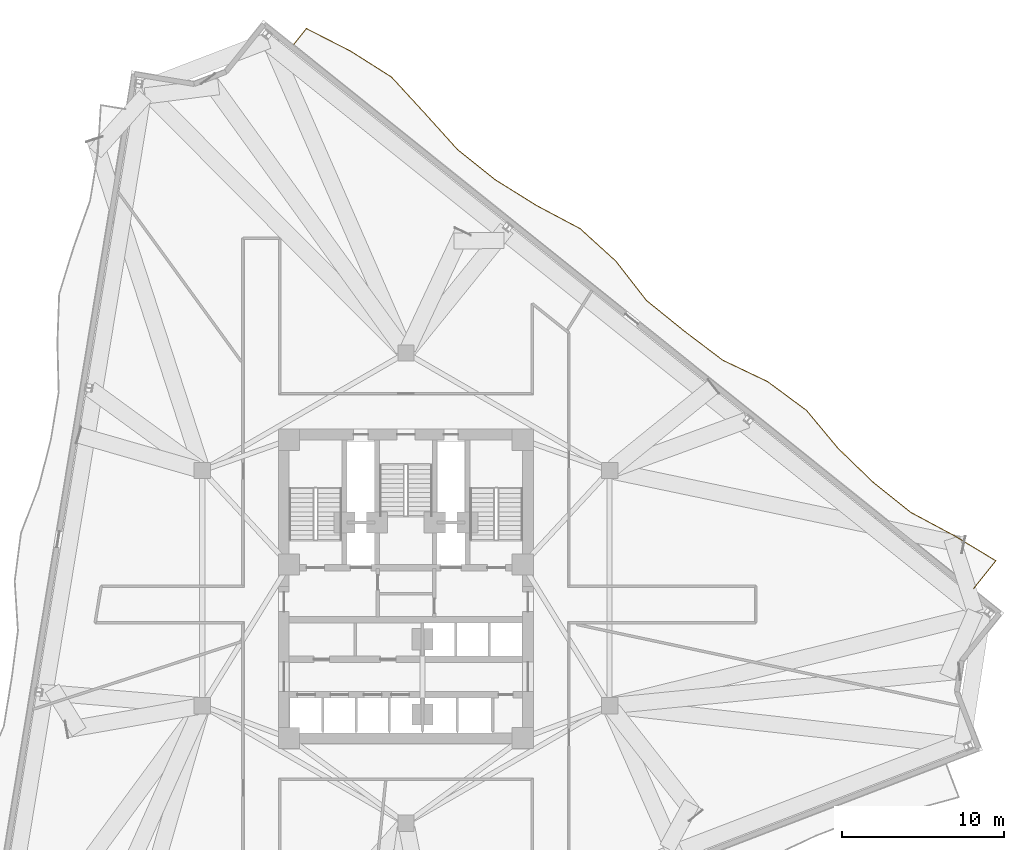
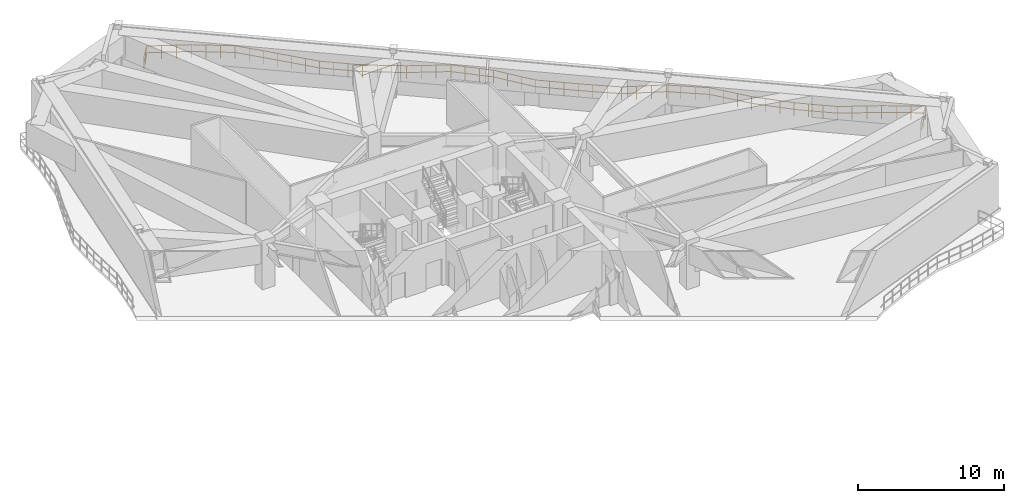
# One storey, part 14 of 14: 1 railing.
"""IFC4 building model written with IfcOpenShell, lengths in metres."""

import ifcopenshell
import ifcopenshell.guid

model = None  # the IFC model being written
_history = None  # IfcOwnerHistory: only IFC2X3 demands one
_inside = {}  # id of a spatial element -> (the spatial element, [elements in it])
_under = {}  # id of a project, library or spatial element -> (it, [spatial elements below it])
_declared = {}  # id of a project -> (the project, [libraries it declares])
_typed = {}  # id of a type object -> (the type object, [elements of that type])
_made_of = {}  # id of a material, layer set ... -> (it, [elements and type objects made of it])


def new_model(schema):
    """Start an empty IFC model of exactly this schema.

    Asked for "IFC4X3", IfcOpenShell would pick the latest addendum, in which some entities
    have other attributes; the version numbers below select the first issue.
    IFC2X3 requires an IfcOwnerHistory on every rooted entity: one is made here for all.
    """
    global model, _history
    if schema == "IFC4X3":
        model = ifcopenshell.file(schema_version=(4, 3, 0, 0))
    else:
        model = ifcopenshell.file(schema=schema)
    _inside.clear()
    _under.clear()
    _declared.clear()
    _typed.clear()
    _made_of.clear()
    _history = None
    if model.schema == "IFC2X3":
        org = make("IfcOrganization", Name="unknown")
        user = make(
            "IfcPersonAndOrganization",
            ThePerson=make("IfcPerson", FamilyName="unknown"),
            TheOrganization=org,
        )
        app = make(
            "IfcApplication",
            ApplicationDeveloper=org,
            Version="unknown",
            ApplicationFullName="unknown",
            ApplicationIdentifier="unknown",
        )
        _history = make(
            "IfcOwnerHistory",
            OwningUser=user,
            OwningApplication=app,
            ChangeAction="ADDED",
            CreationDate=0,
        )
    return model


def make(cls, **values):
    """One entity of the class cls with the attributes given. An attribute that is None is left unset."""
    return model.create_entity(
        cls, **{name: value for name, value in values.items() if value is not None}
    )


def rooted(cls, **values):
    """An entity with a GlobalId (a new one), such as an element, a storey or a relation."""
    return make(cls, GlobalId=ifcopenshell.guid.new(), OwnerHistory=_history, **values)


def si_unit(unit_type, name, prefix=None):
    """IfcSIUnit, for example si_unit("LENGTHUNIT", "METRE", prefix="MILLI")."""
    return make("IfcSIUnit", UnitType=unit_type, Prefix=prefix, Name=name)


def assignment(units):
    """IfcUnitAssignment: the units of a project."""
    return None if units is None else make("IfcUnitAssignment", Units=units)


def point(xyz):
    """IfcCartesianPoint."""
    return None if xyz is None else make("IfcCartesianPoint", Coordinates=xyz)


def direction(xyz):
    """IfcDirection."""
    return None if xyz is None else make("IfcDirection", DirectionRatios=xyz)


def frame(location, z_axis=None, x_axis=None):
    """IfcAxis2Placement3D, a coordinate frame: its origin and axes. An axis left out is left unset."""
    return make(
        "IfcAxis2Placement3D",
        Location=point(location),
        Axis=direction(z_axis),
        RefDirection=direction(x_axis),
    )


def frame_2d(location, x_axis=None):
    """IfcAxis2Placement2D, a coordinate frame in the plane: its origin and x axis."""
    return make(
        "IfcAxis2Placement2D", Location=point(location), RefDirection=direction(x_axis)
    )


def origin():
    """The frame at (0, 0, 0) with its axes left unset."""
    return frame((0.0, 0.0, 0.0))


def origin_2d():
    """The frame at (0, 0) in the plane with its x axis left unset."""
    return frame_2d((0.0, 0.0))


def place(relative_to, where):
    """IfcLocalPlacement: puts the frame where relative to a parent placement (None: the world)."""
    return make(
        "IfcLocalPlacement", PlacementRelTo=relative_to, RelativePlacement=where
    )


def context(
    kind, dimensions, precision=None, world=None, true_north=None, identifier=None
):
    """IfcGeometricRepresentationContext, for example the 3D "Model" context."""
    return make(
        "IfcGeometricRepresentationContext",
        ContextIdentifier=identifier,
        ContextType=kind,
        CoordinateSpaceDimension=dimensions,
        Precision=precision,
        WorldCoordinateSystem=world,
        TrueNorth=true_north,
    )


def subcontext(parent, identifier, kind, view, scale=None):
    """IfcGeometricRepresentationSubContext, for example "Body" below "Model"."""
    return make(
        "IfcGeometricRepresentationSubContext",
        ContextIdentifier=identifier,
        ContextType=kind,
        ParentContext=parent,
        TargetScale=scale,
        TargetView=view,
    )


def project(units=None, contexts=None):
    """IfcProject with its units and contexts."""
    return rooted(
        "IfcProject",
        Name="project",
        RepresentationContexts=contexts,
        UnitsInContext=assignment(units),
    )


def spatial(cls, under=None, at=None, **own):
    """A site, building, storey or space (cls), placed at a placement, below another one or the project."""
    s = rooted(cls, ObjectPlacement=at, **own)
    if under is not None:
        _under.setdefault(under.id(), (under, []))[1].append(s)
    return s


def profile(cls, at=None, kind="AREA", **sizes):
    """A parametric profile (cls). Its sizes go by their IFC names, for example OverallWidth=200.0."""
    return make(cls, ProfileType=kind, Position=at, **sizes)


def rectangle(**sizes):
    """IfcRectangleProfileDef."""
    return profile("IfcRectangleProfileDef", **sizes)


def extrude(swept, where, along, depth):
    """IfcExtrudedAreaSolid: the profile swept, set in the frame where, extruded along a direction by depth."""
    return make(
        "IfcExtrudedAreaSolid",
        SweptArea=swept,
        Position=where,
        ExtrudedDirection=direction(along),
        Depth=depth,
    )


def shape(context_of_items, identifier, shape_type, items):
    """IfcShapeRepresentation: the items that make up one representation, for example the "Body"."""
    return make(
        "IfcShapeRepresentation",
        ContextOfItems=context_of_items,
        RepresentationIdentifier=identifier,
        RepresentationType=shape_type,
        Items=items,
    )


def material(Name=None, Category=None):
    """IfcMaterial."""
    return make("IfcMaterial", Name=Name, Category=Category)


def made_of(thing, what):
    """Note that an element or type object is made of a material, layer set ...; save() writes the relation."""
    if what is not None:
        _made_of.setdefault(what.id(), (what, []))[1].append(thing)
    return thing


def type_object(cls, material=None, **own):
    """A type object (cls), such as IfcWallType, which elements share."""
    return made_of(rooted(cls, **own), material)


def element(
    cls,
    number,
    at=None,
    inside=None,
    cuts=None,
    type_object=None,
    material=None,
    context=None,
    identifier="Body",
    shape_type=None,
    held_by="IfcProductDefinitionShape",
    body=None,
    shapes=None,
    **own,
):
    """One element of the class cls, such as IfcWall. Its Tag is "e" and its number.

    at: its placement. inside: the storey or other place that contains it. cuts: it is an
    opening in that element (IfcRelVoidsElement). A single representation is given by context,
    identifier, shape_type and body (its items); several are given by shapes. held_by: the class
    of the entity that holds the representations. save() writes the other relations.
    """
    e = rooted(cls, Tag="e%d" % number, ObjectPlacement=at, **own)
    if body is not None:
        shapes = [shape(context, identifier, shape_type, body)]
    if shapes is not None:
        e.Representation = make(held_by, Representations=shapes)
    if inside is not None:
        _inside.setdefault(inside.id(), (inside, []))[1].append(e)
    if cuts is not None:
        rooted(
            "IfcRelVoidsElement", RelatingBuildingElement=cuts, RelatedOpeningElement=e
        )
    if type_object is not None:
        _typed.setdefault(type_object.id(), (type_object, []))[1].append(e)
    return made_of(e, material)


def aggregate(whole, parts):
    """IfcRelAggregates: a whole, such as a stair, and the parts it consists of."""
    return rooted("IfcRelAggregates", RelatingObject=whole, RelatedObjects=parts)


def save(model, path):
    """Write the relations noted so far, then the file.

    IfcRelAggregates (storeys below a building ...), IfcRelContainedInSpatialStructure (elements
    in a storey), IfcRelDefinesByType, IfcRelAssociatesMaterial and IfcRelDeclares: one each for
    every whole, place, type object, material and project.
    """
    for whole, parts in _under.values():
        aggregate(whole, parts)
    for where, things in _inside.values():
        rooted(
            "IfcRelContainedInSpatialStructure",
            RelatedElements=things,
            RelatingStructure=where,
        )
    for kind, things in _typed.values():
        rooted("IfcRelDefinesByType", RelatedObjects=things, RelatingType=kind)
    for what, things in _made_of.values():
        rooted("IfcRelAssociatesMaterial", RelatedObjects=things, RelatingMaterial=what)
    for by, libraries in _declared.values():
        rooted("IfcRelDeclares", RelatingContext=by, RelatedDefinitions=libraries)
    model.write(path)


model = new_model("IFC4")

# Units and contexts
model_context = context("Model", 3, precision=1e-05, world=origin(), true_north=direction((0.0, 1.0)))
body_context = subcontext(model_context, "Body", "Model", "MODEL_VIEW")
ifc_project = project(units=[si_unit("LENGTHUNIT", "METRE"), si_unit("AREAUNIT", "SQUARE_METRE"), si_unit("VOLUMEUNIT", "CUBIC_METRE"), si_unit("PLANEANGLEUNIT", "RADIAN"), si_unit("MASSUNIT", "GRAM", prefix="KILO")], contexts=[model_context])

# Site, building, storey
site_placement = place(None, origin())
site = spatial("IfcSite", under=ifc_project, at=site_placement, CompositionType="ELEMENT")
building_placement = place(site_placement, origin())
building = spatial("IfcBuilding", under=site, at=building_placement, Name="Apsidion Concourse Tower", CompositionType="ELEMENT")
storey_placement = place(building_placement, frame((0.0, 0.0, 156.800048828125)))
storey = spatial("IfcBuildingStorey", under=building, at=storey_placement, Name="L36", CompositionType="ELEMENT", Elevation=156.800048828125)

# Railing
ifc_material = material(Name="Brushed stainless steel 316", Category="steel")
railing_type = type_object("IfcRailingType", Name="RL-BAL-1120", PredefinedType="BALUSTRADE", material=ifc_material)
railing_placement = place(storey_placement, frame((-6.919189453125, 33.529541015625, 0.0)))
element("IfcRailing", 1, at=railing_placement, inside=storey, type_object=railing_type, Name="L36 Face 3 Rippling Balcony Balustrade", PredefinedType="BALUSTRADE", context=body_context, shape_type="SweptSolid", body=[
    extrude(rectangle(XDim=0.048095703125, YDim=0.048095703125, at=origin_2d()), frame((0.0, 0.0, 1.09619140625), z_axis=(0.624885542847, 0.780716375095, 0.0), x_axis=(-0.780716375095, 0.624885542847, 0.0)), (0.0, 0.0, 1.0), 1.250244140625),
    extrude(rectangle(XDim=0.048095703125, YDim=0.048095703125, at=origin_2d()), frame((0.0, 0.0, 0.5361328125), z_axis=(0.624885542847, 0.780716375095, 0.0), x_axis=(-0.780716375095, 0.624885542847, 0.0)), (0.0, 0.0, 1.0), 1.250244140625),
    extrude(rectangle(XDim=0.048095703125, YDim=0.048095703125, at=origin_2d()), frame((0.78125, 0.97607421875, 1.09619140625), z_axis=(0.89079100645, -0.454413229152, 0.0), x_axis=(0.454413229152, 0.89079100645, 0.0)), (0.0, 0.0, 1.0), 3.045654296875),
    extrude(rectangle(XDim=0.048095703125, YDim=0.048095703125, at=origin_2d()), frame((0.78125, 0.97607421875, 0.5361328125), z_axis=(0.89079100645, -0.454413229152, 0.0), x_axis=(0.454413229152, 0.89079100645, 0.0)), (0.0, 0.0, 1.0), 3.045654296875),
    extrude(rectangle(XDim=0.048095703125, YDim=0.048095703125, at=origin_2d()), frame((3.494384765625, -0.407958984375, 1.09619140625), z_axis=(0.844825204206, -0.535042404243, 0.0), x_axis=(0.535042404243, 0.844825204206, 0.0)), (0.0, 0.0, 1.0), 3.0009765625),
    extrude(rectangle(XDim=0.048095703125, YDim=0.048095703125, at=origin_2d()), frame((3.494384765625, -0.407958984375, 0.5361328125), z_axis=(0.844825204206, -0.535042404243, 0.0), x_axis=(0.535042404243, 0.844825204206, 0.0)), (0.0, 0.0, 1.0), 3.0009765625),
    extrude(rectangle(XDim=0.048095703125, YDim=0.048095703125, at=origin_2d()), frame((6.02978515625, -2.013671875, 1.09619140625), z_axis=(0.676544685906, -0.736401580642, 0.0), x_axis=(0.736401580642, 0.676544685906, 0.0)), (0.0, 0.0, 1.0), 3.018310546875),
    extrude(rectangle(XDim=0.048095703125, YDim=0.048095703125, at=origin_2d()), frame((6.02978515625, -2.013671875, 0.5361328125), z_axis=(0.676544685906, -0.736401580642, 0.0), x_axis=(0.736401580642, 0.676544685906, 0.0)), (0.0, 0.0, 1.0), 3.018310546875),
    extrude(rectangle(XDim=0.048095703125, YDim=0.048095703125, at=origin_2d()), frame((8.07177734375, -4.236328125, 1.09619140625), z_axis=(0.669696281215, -0.742635099444, 0.0), x_axis=(0.742635099444, 0.669696281215, 0.0)), (0.0, 0.0, 1.0), 3.0224609375),
    extrude(rectangle(XDim=0.048095703125, YDim=0.048095703125, at=origin_2d()), frame((8.07177734375, -4.236328125, 0.5361328125), z_axis=(0.669696281215, -0.742635099444, 0.0), x_axis=(0.742635099444, 0.669696281215, 0.0)), (0.0, 0.0, 1.0), 3.0224609375),
    extrude(rectangle(XDim=0.048095703125, YDim=0.048095703125, at=origin_2d()), frame((10.095947265625, -6.48095703125, 1.09619140625), z_axis=(0.780717074195, -0.624884669408, 0.0), x_axis=(0.624884669408, 0.780717074195, 0.0)), (0.0, 0.0, 1.0), 2.98291015625),
    extrude(rectangle(XDim=0.048095703125, YDim=0.048095703125, at=origin_2d()), frame((10.095947265625, -6.48095703125, 0.5361328125), z_axis=(0.780717074195, -0.624884669408, 0.0), x_axis=(0.624884669408, 0.780717074195, 0.0)), (0.0, 0.0, 1.0), 2.98291015625),
    extrude(rectangle(XDim=0.048095703125, YDim=0.048095703125, at=origin_2d()), frame((12.4248046875, -8.344970703125, 1.09619140625), z_axis=(0.848523036773, -0.529158441363, 0.0), x_axis=(0.529158441363, 0.848523036773, 0.0)), (0.0, 0.0, 1.0), 3.003662109375),
    extrude(rectangle(XDim=0.048095703125, YDim=0.048095703125, at=origin_2d()), frame((12.4248046875, -8.344970703125, 0.5361328125), z_axis=(0.848523036773, -0.529158441363, 0.0), x_axis=(0.529158441363, 0.848523036773, 0.0)), (0.0, 0.0, 1.0), 3.003662109375),
    extrude(rectangle(XDim=0.048095703125, YDim=0.048095703125, at=origin_2d()), frame((14.973388671875, -9.934326171875, 1.09619140625), z_axis=(0.883341546341, -0.46872989291, 0.0), x_axis=(0.46872989291, 0.883341546341, 0.0)), (0.0, 0.0, 1.0), 3.0361328125),
    extrude(rectangle(XDim=0.048095703125, YDim=0.048095703125, at=origin_2d()), frame((14.973388671875, -9.934326171875, 0.5361328125), z_axis=(0.883341546341, -0.46872989291, 0.0), x_axis=(0.46872989291, 0.883341546341, 0.0)), (0.0, 0.0, 1.0), 3.0361328125),
    extrude(rectangle(XDim=0.048095703125, YDim=0.048095703125, at=origin_2d()), frame((17.6552734375, -11.357421875, 1.09619140625), z_axis=(0.739492676224, -0.673164602316, 0.0), x_axis=(0.673164602316, 0.739492676224, 0.0)), (0.0, 0.0, 1.0), 2.98876953125),
    extrude(rectangle(XDim=0.048095703125, YDim=0.048095703125, at=origin_2d()), frame((17.6552734375, -11.357421875, 0.5361328125), z_axis=(0.739492676224, -0.673164602316, 0.0), x_axis=(0.673164602316, 0.739492676224, 0.0)), (0.0, 0.0, 1.0), 2.98876953125),
    extrude(rectangle(XDim=0.048095703125, YDim=0.048095703125, at=origin_2d()), frame((19.865478515625, -13.369384765625, 1.09619140625), z_axis=(0.614183085666, -0.789163568141, 0.0), x_axis=(0.789163568141, 0.614183085666, 0.0)), (0.0, 0.0, 1.0), 3.066650390625),
    extrude(rectangle(XDim=0.048095703125, YDim=0.048095703125, at=origin_2d()), frame((19.865478515625, -13.369384765625, 0.5361328125), z_axis=(0.614183085666, -0.789163568141, 0.0), x_axis=(0.789163568141, 0.614183085666, 0.0)), (0.0, 0.0, 1.0), 3.066650390625),
    extrude(rectangle(XDim=0.048095703125, YDim=0.048095703125, at=origin_2d()), frame((21.7490234375, -15.78955078125, 1.09619140625), z_axis=(0.777391599781, -0.629016931879, 0.0), x_axis=(0.629016931879, 0.777391599781, 0.0)), (0.0, 0.0, 1.0), 2.983154296875),
    extrude(rectangle(XDim=0.048095703125, YDim=0.048095703125, at=origin_2d()), frame((21.7490234375, -15.78955078125, 0.5361328125), z_axis=(0.777391599781, -0.629016931879, 0.0), x_axis=(0.629016931879, 0.777391599781, 0.0)), (0.0, 0.0, 1.0), 2.983154296875),
    extrude(rectangle(XDim=0.048095703125, YDim=0.048095703125, at=origin_2d()), frame((24.068115234375, -17.666015625, 1.09619140625), z_axis=(0.797064699851, -0.603893918045, 0.0), x_axis=(0.603893918045, 0.797064699851, 0.0)), (0.0, 0.0, 1.0), 2.98388671875),
    extrude(rectangle(XDim=0.048095703125, YDim=0.048095703125, at=origin_2d()), frame((24.068115234375, -17.666015625, 0.5361328125), z_axis=(0.797064699851, -0.603893918045, 0.0), x_axis=(0.603893918045, 0.797064699851, 0.0)), (0.0, 0.0, 1.0), 2.98388671875),
    extrude(rectangle(XDim=0.048095703125, YDim=0.048095703125, at=origin_2d()), frame((26.446533203125, -19.468017578125, 1.09619140625), z_axis=(0.902546506718, -0.430592386384, 0.0), x_axis=(0.430592386384, 0.902546506718, 0.0)), (0.0, 0.0, 1.0), 3.0634765625),
    extrude(rectangle(XDim=0.048095703125, YDim=0.048095703125, at=origin_2d()), frame((26.446533203125, -19.468017578125, 0.5361328125), z_axis=(0.902546506718, -0.430592386384, 0.0), x_axis=(0.430592386384, 0.902546506718, 0.0)), (0.0, 0.0, 1.0), 3.0634765625),
    extrude(rectangle(XDim=0.048095703125, YDim=0.048095703125, at=origin_2d()), frame((29.21142578125, -20.787109375, 1.09619140625), z_axis=(0.803995944829, -0.594634779254, 0.0), x_axis=(0.594634779254, 0.803995944829, 0.0)), (0.0, 0.0, 1.0), 2.9853515625),
    extrude(rectangle(XDim=0.048095703125, YDim=0.048095703125, at=origin_2d()), frame((29.21142578125, -20.787109375, 0.5361328125), z_axis=(0.803995944829, -0.594634779254, 0.0), x_axis=(0.594634779254, 0.803995944829, 0.0)), (0.0, 0.0, 1.0), 2.9853515625),
    extrude(rectangle(XDim=0.048095703125, YDim=0.048095703125, at=origin_2d()), frame((31.611572265625, -22.562255859375, 1.09619140625), z_axis=(0.639821509605, -0.768523542806, 0.0), x_axis=(0.768523542806, 0.639821509605, 0.0)), (0.0, 0.0, 1.0), 3.044677734375),
    extrude(rectangle(XDim=0.048095703125, YDim=0.048095703125, at=origin_2d()), frame((31.611572265625, -22.562255859375, 0.5361328125), z_axis=(0.639821509605, -0.768523542806, 0.0), x_axis=(0.768523542806, 0.639821509605, 0.0)), (0.0, 0.0, 1.0), 3.044677734375),
    extrude(rectangle(XDim=0.048095703125, YDim=0.048095703125, at=origin_2d()), frame((33.5595703125, -24.902099609375, 1.09619140625), z_axis=(0.718261855135, -0.695772884969, 0.0), x_axis=(0.695772884969, 0.718261855135, 0.0)), (0.0, 0.0, 1.0), 2.996337890625),
    extrude(rectangle(XDim=0.048095703125, YDim=0.048095703125, at=origin_2d()), frame((33.5595703125, -24.902099609375, 0.5361328125), z_axis=(0.718261855135, -0.695772884969, 0.0), x_axis=(0.695772884969, 0.718261855135, 0.0)), (0.0, 0.0, 1.0), 2.996337890625),
    extrude(rectangle(XDim=0.048095703125, YDim=0.048095703125, at=origin_2d()), frame((35.711669921875, -26.98681640625, 1.09619140625), z_axis=(0.780645180678, -0.624974480987, 0.0), x_axis=(0.624974480987, 0.780645180678, 0.0)), (0.0, 0.0, 1.0), 2.98291015625),
    extrude(rectangle(XDim=0.048095703125, YDim=0.048095703125, at=origin_2d()), frame((35.711669921875, -26.98681640625, 0.5361328125), z_axis=(0.780645180678, -0.624974480987, 0.0), x_axis=(0.624974480987, 0.780645180678, 0.0)), (0.0, 0.0, 1.0), 2.98291015625),
    extrude(rectangle(XDim=0.048095703125, YDim=0.048095703125, at=origin_2d()), frame((38.040283203125, -28.85107421875, 1.09619140625), z_axis=(0.881469202256, -0.472241511808, 0.0), x_axis=(0.472241511808, 0.881469202256, 0.0)), (0.0, 0.0, 1.0), 3.03369140625),
    extrude(rectangle(XDim=0.048095703125, YDim=0.048095703125, at=origin_2d()), frame((38.040283203125, -28.85107421875, 0.5361328125), z_axis=(0.881469202256, -0.472241511808, 0.0), x_axis=(0.472241511808, 0.881469202256, 0.0)), (0.0, 0.0, 1.0), 3.03369140625),
    extrude(rectangle(XDim=0.048095703125, YDim=0.048095703125, at=origin_2d()), frame((40.71435546875, -30.28369140625, 1.09619140625), z_axis=(0.856331170469, -0.516427077605, 0.0), x_axis=(0.516427077605, 0.856331170469, 0.0)), (0.0, 0.0, 1.0), 3.009521484375),
    extrude(rectangle(XDim=0.048095703125, YDim=0.048095703125, at=origin_2d()), frame((40.71435546875, -30.28369140625, 0.5361328125), z_axis=(0.856331170469, -0.516427077605, 0.0), x_axis=(0.516427077605, 0.856331170469, 0.0)), (0.0, 0.0, 1.0), 3.009521484375),
    extrude(rectangle(XDim=0.048095703125, YDim=0.048095703125, at=origin_2d()), frame((43.29150390625, -31.837890625, 1.09619140625), z_axis=(-0.62501980286, -0.78060889441, 0.0), x_axis=(0.78060889441, -0.62501980286, 0.0)), (0.0, 0.0, 1.0), 2.199951171875),
    extrude(rectangle(XDim=0.048095703125, YDim=0.048095703125, at=origin_2d()), frame((43.29150390625, -31.837890625, 0.5361328125), z_axis=(-0.62501980286, -0.78060889441, 0.0), x_axis=(0.78060889441, -0.62501980286, 0.0)), (0.0, 0.0, 1.0), 2.199951171875),
    extrude(rectangle(XDim=0.0419921875, YDim=0.0419921875, at=origin_2d()), origin(), (0.0, 0.0, 1.0), 1.072021484375),
    extrude(rectangle(XDim=0.0419921875, YDim=0.0419921875, at=origin_2d()), frame((0.390625, 0.488037109375, 0.0)), (0.0, 0.0, 1.0), 1.072021484375),
    extrude(rectangle(XDim=0.0419921875, YDim=0.0419921875, at=origin_2d()), frame((0.78125, 0.97607421875, 0.0)), (0.0, 0.0, 1.0), 1.072021484375),
    extrude(rectangle(XDim=0.0419921875, YDim=0.0419921875, at=origin_2d()), frame((1.685546875, 0.5146484375, 0.0)), (0.0, 0.0, 1.0), 1.072021484375),
    extrude(rectangle(XDim=0.0419921875, YDim=0.0419921875, at=origin_2d()), frame((2.590087890625, 0.053466796875, 0.0)), (0.0, 0.0, 1.0), 1.072021484375),
    extrude(rectangle(XDim=0.0419921875, YDim=0.0419921875, at=origin_2d()), frame((3.494384765625, -0.407958984375, 0.0)), (0.0, 0.0, 1.0), 1.072021484375),
    extrude(rectangle(XDim=0.0419921875, YDim=0.0419921875, at=origin_2d()), frame((4.339599609375, -0.943115234375, 0.0)), (0.0, 0.0, 1.0), 1.072021484375),
    extrude(rectangle(XDim=0.0419921875, YDim=0.0419921875, at=origin_2d()), frame((5.1845703125, -1.478515625, 0.0)), (0.0, 0.0, 1.0), 1.072021484375),
    extrude(rectangle(XDim=0.0419921875, YDim=0.0419921875, at=origin_2d()), frame((6.02978515625, -2.013671875, 0.0)), (0.0, 0.0, 1.0), 1.072021484375),
    extrude(rectangle(XDim=0.0419921875, YDim=0.0419921875, at=origin_2d()), frame((6.71044921875, -2.754638671875, 0.0)), (0.0, 0.0, 1.0), 1.072021484375),
    extrude(rectangle(XDim=0.0419921875, YDim=0.0419921875, at=origin_2d()), frame((7.39111328125, -3.495361328125, 0.0)), (0.0, 0.0, 1.0), 1.072021484375),
    extrude(rectangle(XDim=0.0419921875, YDim=0.0419921875, at=origin_2d()), frame((8.07177734375, -4.236328125, 0.0)), (0.0, 0.0, 1.0), 1.072021484375),
    extrude(rectangle(XDim=0.0419921875, YDim=0.0419921875, at=origin_2d()), frame((8.74658203125, -4.984619140625, 0.0)), (0.0, 0.0, 1.0), 1.072021484375),
    extrude(rectangle(XDim=0.0419921875, YDim=0.0419921875, at=origin_2d()), frame((9.421142578125, -5.732666015625, 0.0)), (0.0, 0.0, 1.0), 1.072021484375),
    extrude(rectangle(XDim=0.0419921875, YDim=0.0419921875, at=origin_2d()), frame((10.095947265625, -6.48095703125, 0.0)), (0.0, 0.0, 1.0), 1.072021484375),
    extrude(rectangle(XDim=0.0419921875, YDim=0.0419921875, at=origin_2d()), frame((10.872314453125, -7.102294921875, 0.0)), (0.0, 0.0, 1.0), 1.072021484375),
    extrude(rectangle(XDim=0.0419921875, YDim=0.0419921875, at=origin_2d()), frame((11.6484375, -7.7236328125, 0.0)), (0.0, 0.0, 1.0), 1.072021484375),
    extrude(rectangle(XDim=0.0419921875, YDim=0.0419921875, at=origin_2d()), frame((12.4248046875, -8.344970703125, 0.0)), (0.0, 0.0, 1.0), 1.072021484375),
    extrude(rectangle(XDim=0.0419921875, YDim=0.0419921875, at=origin_2d()), frame((13.2744140625, -8.874755859375, 0.0)), (0.0, 0.0, 1.0), 1.072021484375),
    extrude(rectangle(XDim=0.0419921875, YDim=0.0419921875, at=origin_2d()), frame((14.123779296875, -9.404541015625, 0.0)), (0.0, 0.0, 1.0), 1.072021484375),
    extrude(rectangle(XDim=0.0419921875, YDim=0.0419921875, at=origin_2d()), frame((14.973388671875, -9.934326171875, 0.0)), (0.0, 0.0, 1.0), 1.072021484375),
    extrude(rectangle(XDim=0.0419921875, YDim=0.0419921875, at=origin_2d()), frame((15.867431640625, -10.40869140625, 0.0)), (0.0, 0.0, 1.0), 1.072021484375),
    extrude(rectangle(XDim=0.0419921875, YDim=0.0419921875, at=origin_2d()), frame((16.76123046875, -10.883056640625, 0.0)), (0.0, 0.0, 1.0), 1.072021484375),
    extrude(rectangle(XDim=0.0419921875, YDim=0.0419921875, at=origin_2d()), frame((17.6552734375, -11.357421875, 0.0)), (0.0, 0.0, 1.0), 1.072021484375),
    extrude(rectangle(XDim=0.0419921875, YDim=0.0419921875, at=origin_2d()), frame((18.39208984375, -12.028076171875, 0.0)), (0.0, 0.0, 1.0), 1.072021484375),
    extrude(rectangle(XDim=0.0419921875, YDim=0.0419921875, at=origin_2d()), frame((19.128662109375, -12.69873046875, 0.0)), (0.0, 0.0, 1.0), 1.072021484375),
    extrude(rectangle(XDim=0.0419921875, YDim=0.0419921875, at=origin_2d()), frame((19.865478515625, -13.369384765625, 0.0)), (0.0, 0.0, 1.0), 1.072021484375),
    extrude(rectangle(XDim=0.0419921875, YDim=0.0419921875, at=origin_2d()), frame((20.493408203125, -14.176025390625, 0.0)), (0.0, 0.0, 1.0), 1.072021484375),
    extrude(rectangle(XDim=0.0419921875, YDim=0.0419921875, at=origin_2d()), frame((21.12109375, -14.98291015625, 0.0)), (0.0, 0.0, 1.0), 1.072021484375),
    extrude(rectangle(XDim=0.0419921875, YDim=0.0419921875, at=origin_2d()), frame((21.7490234375, -15.78955078125, 0.0)), (0.0, 0.0, 1.0), 1.072021484375),
    extrude(rectangle(XDim=0.0419921875, YDim=0.0419921875, at=origin_2d()), frame((22.52197265625, -16.4150390625, 0.0)), (0.0, 0.0, 1.0), 1.072021484375),
    extrude(rectangle(XDim=0.0419921875, YDim=0.0419921875, at=origin_2d()), frame((23.295166015625, -17.04052734375, 0.0)), (0.0, 0.0, 1.0), 1.072021484375),
    extrude(rectangle(XDim=0.0419921875, YDim=0.0419921875, at=origin_2d()), frame((24.068115234375, -17.666015625, 0.0)), (0.0, 0.0, 1.0), 1.072021484375),
    extrude(rectangle(XDim=0.0419921875, YDim=0.0419921875, at=origin_2d()), frame((24.86083984375, -18.2666015625, 0.0)), (0.0, 0.0, 1.0), 1.072021484375),
    extrude(rectangle(XDim=0.0419921875, YDim=0.0419921875, at=origin_2d()), frame((25.65380859375, -18.867431640625, 0.0)), (0.0, 0.0, 1.0), 1.072021484375),
    extrude(rectangle(XDim=0.0419921875, YDim=0.0419921875, at=origin_2d()), frame((26.446533203125, -19.468017578125, 0.0)), (0.0, 0.0, 1.0), 1.072021484375),
    extrude(rectangle(XDim=0.0419921875, YDim=0.0419921875, at=origin_2d()), frame((27.3681640625, -19.90771484375, 0.0)), (0.0, 0.0, 1.0), 1.072021484375),
    extrude(rectangle(XDim=0.0419921875, YDim=0.0419921875, at=origin_2d()), frame((28.289794921875, -20.347412109375, 0.0)), (0.0, 0.0, 1.0), 1.072021484375),
    extrude(rectangle(XDim=0.0419921875, YDim=0.0419921875, at=origin_2d()), frame((29.21142578125, -20.787109375, 0.0)), (0.0, 0.0, 1.0), 1.072021484375),
    extrude(rectangle(XDim=0.0419921875, YDim=0.0419921875, at=origin_2d()), frame((30.011474609375, -21.37890625, 0.0)), (0.0, 0.0, 1.0), 1.072021484375),
    extrude(rectangle(XDim=0.0419921875, YDim=0.0419921875, at=origin_2d()), frame((30.8115234375, -21.970458984375, 0.0)), (0.0, 0.0, 1.0), 1.072021484375),
    extrude(rectangle(XDim=0.0419921875, YDim=0.0419921875, at=origin_2d()), frame((31.611572265625, -22.562255859375, 0.0)), (0.0, 0.0, 1.0), 1.072021484375),
    extrude(rectangle(XDim=0.0419921875, YDim=0.0419921875, at=origin_2d()), frame((32.260986328125, -23.34228515625, 0.0)), (0.0, 0.0, 1.0), 1.072021484375),
    extrude(rectangle(XDim=0.0419921875, YDim=0.0419921875, at=origin_2d()), frame((32.91015625, -24.1220703125, 0.0)), (0.0, 0.0, 1.0), 1.072021484375),
    extrude(rectangle(XDim=0.0419921875, YDim=0.0419921875, at=origin_2d()), frame((33.5595703125, -24.902099609375, 0.0)), (0.0, 0.0, 1.0), 1.072021484375),
    extrude(rectangle(XDim=0.0419921875, YDim=0.0419921875, at=origin_2d()), frame((34.27685546875, -25.596923828125, 0.0)), (0.0, 0.0, 1.0), 1.072021484375),
    extrude(rectangle(XDim=0.0419921875, YDim=0.0419921875, at=origin_2d()), frame((34.994384765625, -26.2919921875, 0.0)), (0.0, 0.0, 1.0), 1.072021484375),
    extrude(rectangle(XDim=0.0419921875, YDim=0.0419921875, at=origin_2d()), frame((35.711669921875, -26.98681640625, 0.0)), (0.0, 0.0, 1.0), 1.072021484375),
    extrude(rectangle(XDim=0.0419921875, YDim=0.0419921875, at=origin_2d()), frame((36.48779296875, -27.608154296875, 0.0)), (0.0, 0.0, 1.0), 1.072021484375),
    extrude(rectangle(XDim=0.0419921875, YDim=0.0419921875, at=origin_2d()), frame((37.26416015625, -28.229736328125, 0.0)), (0.0, 0.0, 1.0), 1.072021484375),
    extrude(rectangle(XDim=0.0419921875, YDim=0.0419921875, at=origin_2d()), frame((38.040283203125, -28.85107421875, 0.0)), (0.0, 0.0, 1.0), 1.072021484375),
    extrude(rectangle(XDim=0.0419921875, YDim=0.0419921875, at=origin_2d()), frame((38.931640625, -29.32861328125, 0.0)), (0.0, 0.0, 1.0), 1.072021484375),
    extrude(rectangle(XDim=0.0419921875, YDim=0.0419921875, at=origin_2d()), frame((39.822998046875, -29.80615234375, 0.0)), (0.0, 0.0, 1.0), 1.072021484375),
    extrude(rectangle(XDim=0.0419921875, YDim=0.0419921875, at=origin_2d()), frame((40.71435546875, -30.28369140625, 0.0)), (0.0, 0.0, 1.0), 1.072021484375),
    extrude(rectangle(XDim=0.0419921875, YDim=0.0419921875, at=origin_2d()), frame((41.573486328125, -30.8017578125, 0.0)), (0.0, 0.0, 1.0), 1.072021484375),
    extrude(rectangle(XDim=0.0419921875, YDim=0.0419921875, at=origin_2d()), frame((42.432373046875, -31.31982421875, 0.0)), (0.0, 0.0, 1.0), 1.072021484375),
    extrude(rectangle(XDim=0.0419921875, YDim=0.0419921875, at=origin_2d()), frame((43.29150390625, -31.837890625, 0.0)), (0.0, 0.0, 1.0), 1.072021484375),
    extrude(rectangle(XDim=0.0419921875, YDim=0.0419921875, at=origin_2d()), frame((42.60400390625, -32.696533203125, 0.0)), (0.0, 0.0, 1.0), 1.072021484375),
    extrude(rectangle(XDim=0.0419921875, YDim=0.0419921875, at=origin_2d()), frame((41.91650390625, -33.55517578125, 0.0)), (0.0, 0.0, 1.0), 1.072021484375),
])

save(model, "model.ifc")
